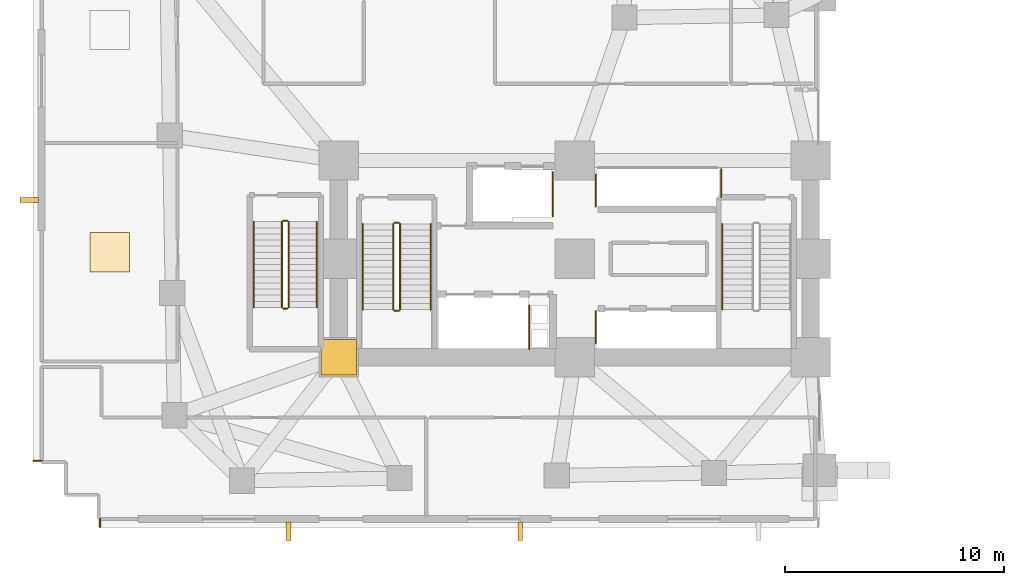
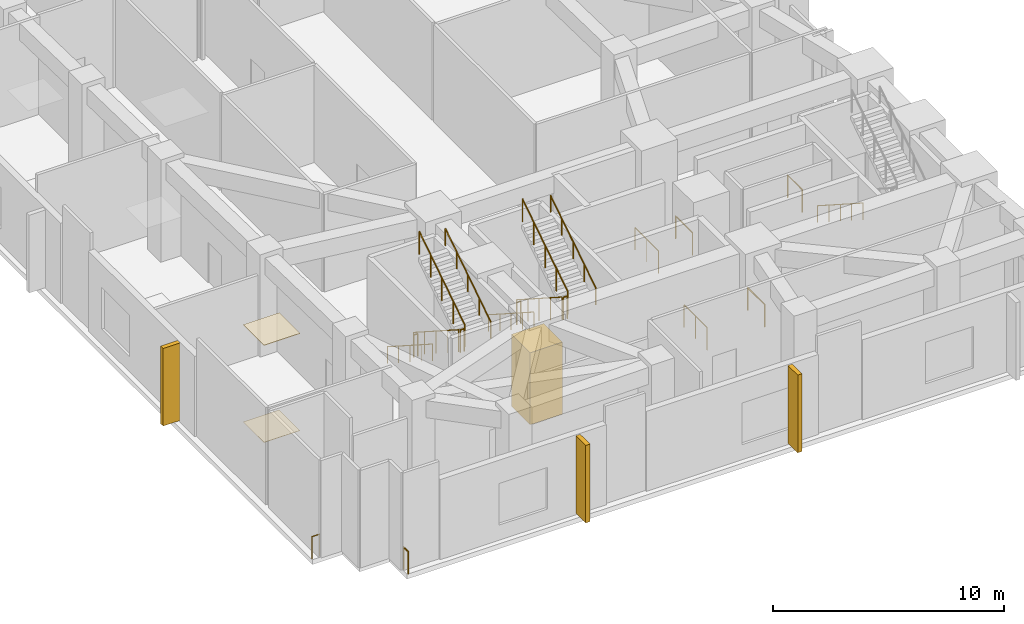
# One storey, part 13 of 18: 20 railings, 3 coverings, 3 shading devices.
"""IFC4 building model written with IfcOpenShell, lengths in metres."""

from ifc_helpers import new_model, si_unit, direction, frame, origin, origin_2d, place, context, subcontext, project, spatial, rectangle, circle, extrude, material, layer, layer_set, type_object, element, save


model = new_model("IFC4")

# Units and contexts
model_context = context("Model", 3, precision=1e-05, world=origin(), true_north=direction((0.0, 1.0)))
body_context = subcontext(model_context, "Body", "Model", "MODEL_VIEW")
ifc_project = project(units=[si_unit("LENGTHUNIT", "METRE"), si_unit("AREAUNIT", "SQUARE_METRE"), si_unit("VOLUMEUNIT", "CUBIC_METRE"), si_unit("PLANEANGLEUNIT", "RADIAN"), si_unit("MASSUNIT", "GRAM", prefix="KILO")], contexts=[model_context])

# Site, building, storey
site_placement = place(None, origin())
site = spatial("IfcSite", under=ifc_project, at=site_placement, CompositionType="ELEMENT")
building_placement = place(site_placement, origin())
building = spatial("IfcBuilding", under=site, at=building_placement, Name="Gaonmaruhae Medical Tower", CompositionType="ELEMENT")
storey_placement = place(building_placement, frame((0.0, 0.0, 5.39990234375)))
storey = spatial("IfcBuildingStorey", under=building, at=storey_placement, Name="L01", CompositionType="ELEMENT", Elevation=5.39990234375)

# Coverings
ifc_material_1 = material(Name="Architectural precast column cladding", Category="concrete")
ifc_layer_1 = layer(ifc_material_1, 0.06005859375)
ifc_layer_set_1 = layer_set([ifc_layer_1], Name="Architectural precast column cladding")
covering_type_1 = type_object("IfcCoveringType", Name="CLD-01 Architectural Precast Pier Cladding", PredefinedType="CLADDING", material=ifc_layer_set_1)
covering_1_placement = place(storey_placement, frame((14.0, 7.800048828125, 0.10009765625), z_axis=(0.0, 0.0, 1.0), x_axis=(1.0, 0.0, 0.0)))
element("IfcCovering", 1, at=covering_1_placement, inside=storey, type_object=covering_type_1, Name="L01 Architectural Precast Column Cladding 5", PredefinedType="CLADDING", context=body_context, shape_type="SweptSolid", body=[
    extrude(rectangle(XDim=1.6201171875, YDim=1.6201171875, at=origin_2d()), origin(), (0.0, 0.0, 1.0), 3.800048828125),
])
ifc_material_2 = material(Name="Acoustic mineral ceiling tile", Category="finish")
ifc_layer_2 = layer(ifc_material_2, 0.02490234375)
ifc_layer_set_2 = layer_set([ifc_layer_2], Name="Acoustic mineral ceiling tile")
covering_type_2 = type_object("IfcCoveringType", Name="CLG-01 Antimicrobial Acoustic Mineral Ceiling", PredefinedType="CEILING", material=ifc_layer_set_2)
covering_2_placement = place(storey_placement, frame((3.510009765625, 12.60009765625, 5.125244140625), z_axis=(0.0, 0.0, 1.0), x_axis=(1.0, 0.0, 0.0)))
element("IfcCovering", 2, at=covering_2_placement, inside=storey, type_object=covering_type_2, Name="L01 Clinical Room Acoustic Ceiling 2", PredefinedType="CEILING", context=body_context, shape_type="SweptSolid", body=[
    extrude(rectangle(XDim=1.800048828125, YDim=1.800048828125, at=origin_2d()), origin(), (0.0, 0.0, 1.0), 0.02490234375),
])
ifc_material_3 = material(Name="Seamless clinical vinyl flooring", Category="finish")
ifc_layer_3 = layer(ifc_material_3, 0.014892578125)
ifc_layer_set_3 = layer_set([ifc_layer_3], Name="Seamless clinical vinyl flooring")
covering_type_3 = type_object("IfcCoveringType", Name="FLR-01 Seamless Clinical Antistatic Vinyl Flooring", PredefinedType="FLOORING", material=ifc_layer_set_3)
covering_3_placement = place(storey_placement, frame((3.510009765625, 12.60009765625, 0.0), z_axis=(0.0, 0.0, 1.0), x_axis=(1.0, 0.0, 0.0)))
element("IfcCovering", 3, at=covering_3_placement, inside=storey, type_object=covering_type_3, Name="L01 Clinical Room Vinyl Flooring 2", PredefinedType="FLOORING", context=body_context, shape_type="SweptSolid", body=[
    extrude(rectangle(XDim=1.800048828125, YDim=1.800048828125, at=origin_2d()), origin(), (0.0, 0.0, 1.0), 0.014892578125),
])

# Railings
ifc_material_4 = material(Name="Stainless steel 316L and laminated safety glass", Category="steel")
ifc_layer_4 = layer(ifc_material_4, 0.080078125)
ifc_layer_set_4 = layer_set([ifc_layer_4], Name="Stainless steel 316L and laminated safety glass")
railing_type_1 = type_object("IfcRailingType", Name="GD-120 Outdoor Terrace Safety Glass & Steel Balustrade", PredefinedType="BALUSTRADE", material=ifc_layer_set_4)
railing_1_placement = place(storey_placement, frame((3.070068359375, 0.02001953125, 0.0)))
element("IfcRailing", 4, at=railing_1_placement, inside=storey, type_object=railing_type_1, Name="L01 Perimeter Slab Edge Safety Balustrade 01", PredefinedType="BALUSTRADE", context=body_context, shape_type="SweptSolid", body=[
    extrude(circle(Radius=0.02392578125, at=origin_2d()), frame((0.0, 0.0, 1.17578125), z_axis=(0.0, 1.0, 0.0), x_axis=(-1.0, 0.0, 0.0)), (0.0, 0.0, 1.0), 0.393310546875),
    extrude(circle(Radius=0.02099609375, at=origin_2d()), origin(), (0.0, 0.0, 1.0), 1.15185546875),
    extrude(circle(Radius=0.02099609375, at=origin_2d()), frame((0.0, 0.393310546875, 0.0)), (0.0, 0.0, 1.0), 1.15185546875),
])
railing_2_placement = place(storey_placement, frame((0.413330078125, 3.070068359375, 0.0)))
element("IfcRailing", 5, at=railing_2_placement, inside=storey, type_object=railing_type_1, Name="L01 Perimeter Slab Edge Safety Balustrade 02", PredefinedType="BALUSTRADE", context=body_context, shape_type="SweptSolid", body=[
    extrude(circle(Radius=0.02392578125, at=origin_2d()), frame((0.0, 0.0, 1.17578125), z_axis=(-1.0, 0.0, 0.0), x_axis=(0.0, -1.0, 0.0)), (0.0, 0.0, 1.0), 0.393310546875),
    extrude(circle(Radius=0.02099609375, at=origin_2d()), origin(), (0.0, 0.0, 1.0), 1.15185546875),
    extrude(circle(Radius=0.02099609375, at=origin_2d()), frame((-0.393310546875, 0.0, 0.0)), (0.0, 0.0, 1.0), 1.15185546875),
])
ifc_material_5 = material(Name="Stainless steel 304 handrail", Category="steel")
railing_type_2 = type_object("IfcRailingType", Name="HR-092 Continuous Stainless Steel Stair Handrail", PredefinedType="HANDRAIL", material=ifc_material_5)
railing_3_placement = place(storey_placement, frame((15.10009765625, 13.89990234375, 0.18017578125)))
element("IfcRailing", 6, at=railing_3_placement, inside=storey, type_object=railing_type_2, Name="L01 ST-01 stair handrail 1", PredefinedType="HANDRAIL", context=body_context, shape_type="SweptSolid", body=[
    extrude(circle(Radius=0.02392578125, at=origin_2d()), frame((0.0, 0.0, 0.8759765625), z_axis=(0.0, -0.841171666519, 0.540768182723), x_axis=(1.0, 0.0, 0.0)), (0.0, 0.0, 1.0), 4.66015625),
    extrude(circle(Radius=0.02099609375, at=origin_2d()), origin(), (0.0, 0.0, 1.0), 0.851806640625),
    extrude(circle(Radius=0.02099609375, at=origin_2d()), frame((0.0, -0.97998046875, 0.6298828125)), (0.0, 0.0, 1.0), 0.851806640625),
    extrude(circle(Radius=0.02099609375, at=origin_2d()), frame((0.0, -1.9599609375, 1.260009765625)), (0.0, 0.0, 1.0), 0.851806640625),
    extrude(circle(Radius=0.02099609375, at=origin_2d()), frame((0.0, -2.93994140625, 1.89013671875)), (0.0, 0.0, 1.0), 0.851806640625),
    extrude(circle(Radius=0.02099609375, at=origin_2d()), frame((0.0, -3.919921875, 2.52001953125)), (0.0, 0.0, 1.0), 0.851806640625),
])
railing_4_placement = place(storey_placement, frame((18.199951171875, 9.97998046875, 2.880126953125)))
element("IfcRailing", 7, at=railing_4_placement, inside=storey, type_object=railing_type_2, Name="L01 ST-01 stair handrail 2", PredefinedType="HANDRAIL", context=body_context, shape_type="SweptSolid", body=[
    extrude(circle(Radius=0.02392578125, at=origin_2d()), frame((0.0, 0.0, 0.8759765625), z_axis=(0.0, 0.841171666519, 0.540768182723), x_axis=(-1.0, 0.0, 0.0)), (0.0, 0.0, 1.0), 4.66015625),
    extrude(circle(Radius=0.02099609375, at=origin_2d()), origin(), (0.0, 0.0, 1.0), 0.851806640625),
    extrude(circle(Radius=0.02099609375, at=origin_2d()), frame((0.0, 0.97998046875, 0.6298828125)), (0.0, 0.0, 1.0), 0.851806640625),
    extrude(circle(Radius=0.02099609375, at=origin_2d()), frame((0.0, 1.9599609375, 1.260009765625)), (0.0, 0.0, 1.0), 0.851806640625),
    extrude(circle(Radius=0.02099609375, at=origin_2d()), frame((0.0, 2.93994140625, 1.89013671875)), (0.0, 0.0, 1.0), 0.851806640625),
    extrude(circle(Radius=0.02099609375, at=origin_2d()), frame((0.0, 3.919921875, 2.52001953125)), (0.0, 0.0, 1.0), 0.851806640625),
])
for number, where, name in (
    (8, (31.550048828125, 13.89990234375, 0.18017578125), "L01 ST-02 stair handrail 1"),
    (9, (10.10009765625, 14.0, 0.18017578125), "L01 ST-03 stair handrail 1"),
):
    element("IfcRailing", number, at=place(storey_placement, frame(where)), inside=storey, type_object=railing_type_2, Name=name, PredefinedType="HANDRAIL", context=body_context, shape_type="SweptSolid", body=[
        extrude(circle(Radius=0.02392578125, at=origin_2d()), frame((0.0, 0.0, 0.8759765625), z_axis=(0.0, -0.841171666519, 0.540768182723), x_axis=(1.0, 0.0, 0.0)), (0.0, 0.0, 1.0), 4.66015625),
        extrude(circle(Radius=0.02099609375, at=origin_2d()), origin(), (0.0, 0.0, 1.0), 0.851806640625),
        extrude(circle(Radius=0.02099609375, at=origin_2d()), frame((0.0, -0.97998046875, 0.6298828125)), (0.0, 0.0, 1.0), 0.851806640625),
        extrude(circle(Radius=0.02099609375, at=origin_2d()), frame((0.0, -1.9599609375, 1.260009765625)), (0.0, 0.0, 1.0), 0.851806640625),
        extrude(circle(Radius=0.02099609375, at=origin_2d()), frame((0.0, -2.93994140625, 1.89013671875)), (0.0, 0.0, 1.0), 0.851806640625),
        extrude(circle(Radius=0.02099609375, at=origin_2d()), frame((0.0, -3.919921875, 2.52001953125)), (0.0, 0.0, 1.0), 0.851806640625),
    ])
railing_5_placement = place(storey_placement, frame((13.0, 10.080078125, 2.880126953125)))
element("IfcRailing", 10, at=railing_5_placement, inside=storey, type_object=railing_type_2, Name="L01 ST-03 stair handrail 2", PredefinedType="HANDRAIL", context=body_context, shape_type="SweptSolid", body=[
    extrude(circle(Radius=0.02392578125, at=origin_2d()), frame((0.0, 0.0, 0.8759765625), z_axis=(0.0, 0.841171666519, 0.540768182723), x_axis=(-1.0, 0.0, 0.0)), (0.0, 0.0, 1.0), 4.66015625),
    extrude(circle(Radius=0.02099609375, at=origin_2d()), origin(), (0.0, 0.0, 1.0), 0.851806640625),
    extrude(circle(Radius=0.02099609375, at=origin_2d()), frame((0.0, 0.97998046875, 0.6298828125)), (0.0, 0.0, 1.0), 0.851806640625),
    extrude(circle(Radius=0.02099609375, at=origin_2d()), frame((0.0, 1.9599609375, 1.260009765625)), (0.0, 0.0, 1.0), 0.851806640625),
    extrude(circle(Radius=0.02099609375, at=origin_2d()), frame((0.0, 2.93994140625, 1.89013671875)), (0.0, 0.0, 1.0), 0.851806640625),
    extrude(circle(Radius=0.02099609375, at=origin_2d()), frame((0.0, 3.919921875, 2.52001953125)), (0.0, 0.0, 1.0), 0.851806640625),
])

# Shading devices
ifc_material_6 = material(Name="Pigmented coral precast concrete C45/55", Category="concrete")
shading_device_type = type_object("IfcShadingDeviceType", Name="SD-FIN2 Podium Vertical Coral Precast Shading Fin", PredefinedType="USERDEFINED", material=ifc_material_6)
for number, where, z_axis, x_axis, name in (
    (11, (11.699951171875, -0.1650390625, 0.06494140625), (0.0, 0.0, 1.0), (-1.0, 0.0, 0.0), "L01 Podium Coral Precast Shading Fin PB-S1"),
    (12, (22.300048828125, -0.1650390625, 0.06494140625), (0.0, 0.0, 1.0), (-1.0, 0.0, 0.0), "L01 Podium Coral Precast Shading Fin PB-S2"),
    (13, (-0.1650390625, 15.0, 0.06494140625), (0.0, 0.0, 1.0), (0.0, 1.0, 0.0), "L01 Podium Coral Precast Shading Fin PB-W1"),
):
    element("IfcShadingDevice", number, at=place(storey_placement, frame(where, z_axis=z_axis, x_axis=x_axis)), inside=storey, type_object=shading_device_type, Name=name, ObjectType="FIN", PredefinedType="USERDEFINED", context=body_context, shape_type="SweptSolid", body=[
        extrude(rectangle(XDim=0.219970703125, YDim=0.85009765625, at=origin_2d()), origin(), (0.0, 0.0, 1.0), 4.10009765625),
    ])

# Railings
ifc_material_7 = material(Name="Stainless steel 304 balustrade", Category="steel")
railing_type_3 = type_object("IfcRailingType", Name="SG-112 Stair Well & Ramp Void Safety Balustrade", PredefinedType="BALUSTRADE", material=ifc_material_7)
railing_6_placement = place(storey_placement, frame((16.5, 13.89990234375, 0.18017578125)))
element("IfcRailing", 14, at=railing_6_placement, inside=storey, type_object=railing_type_3, Name="L01 ST-01 stair guard 1", PredefinedType="BALUSTRADE", context=body_context, shape_type="SweptSolid", body=[
    extrude(circle(Radius=0.02392578125, at=origin_2d()), frame((0.0, 0.0, 1.17578125), z_axis=(0.0, -0.841171666519, 0.540768182723), x_axis=(1.0, 0.0, 0.0)), (0.0, 0.0, 1.0), 4.66015625),
    extrude(circle(Radius=0.02099609375, at=origin_2d()), origin(), (0.0, 0.0, 1.0), 1.15185546875),
    extrude(circle(Radius=0.02099609375, at=origin_2d()), frame((0.0, -0.97998046875, 0.6298828125)), (0.0, 0.0, 1.0), 1.15185546875),
    extrude(circle(Radius=0.02099609375, at=origin_2d()), frame((0.0, -1.9599609375, 1.260009765625)), (0.0, 0.0, 1.0), 1.15185546875),
    extrude(circle(Radius=0.02099609375, at=origin_2d()), frame((0.0, -2.93994140625, 1.89013671875)), (0.0, 0.0, 1.0), 1.15185546875),
    extrude(circle(Radius=0.02099609375, at=origin_2d()), frame((0.0, -3.919921875, 2.52001953125)), (0.0, 0.0, 1.0), 1.15185546875),
])
railing_7_placement = place(storey_placement, frame((16.550048828125, 9.929931640625, 2.7001953125)))
element("IfcRailing", 15, at=railing_7_placement, inside=storey, type_object=railing_type_3, Name="L01 ST-01 stair guard 2", PredefinedType="BALUSTRADE", context=body_context, shape_type="SweptSolid", body=[
    extrude(circle(Radius=0.02392578125, at=origin_2d()), frame((0.0, 0.0, 1.17578125), z_axis=(1.0, 0.0, 0.0), x_axis=(0.0, 1.0, 0.0)), (0.0, 0.0, 1.0), 0.199951171875),
    extrude(circle(Radius=0.02099609375, at=origin_2d()), origin(), (0.0, 0.0, 1.0), 1.15185546875),
    extrude(circle(Radius=0.02099609375, at=origin_2d()), frame((0.199951171875, 0.0, 0.0)), (0.0, 0.0, 1.0), 1.15185546875),
])
railing_8_placement = place(storey_placement, frame((16.800048828125, 9.97998046875, 2.880126953125)))
element("IfcRailing", 16, at=railing_8_placement, inside=storey, type_object=railing_type_3, Name="L01 ST-01 stair guard 3", PredefinedType="BALUSTRADE", context=body_context, shape_type="SweptSolid", body=[
    extrude(circle(Radius=0.02392578125, at=origin_2d()), frame((0.0, 0.0, 1.17578125), z_axis=(0.0, 0.841171666519, 0.540768182723), x_axis=(-1.0, 0.0, 0.0)), (0.0, 0.0, 1.0), 4.66015625),
    extrude(circle(Radius=0.02099609375, at=origin_2d()), origin(), (0.0, 0.0, 1.0), 1.15185546875),
    extrude(circle(Radius=0.02099609375, at=origin_2d()), frame((0.0, 0.97998046875, 0.6298828125)), (0.0, 0.0, 1.0), 1.15185546875),
    extrude(circle(Radius=0.02099609375, at=origin_2d()), frame((0.0, 1.9599609375, 1.260009765625)), (0.0, 0.0, 1.0), 1.15185546875),
    extrude(circle(Radius=0.02099609375, at=origin_2d()), frame((0.0, 2.93994140625, 1.89013671875)), (0.0, 0.0, 1.0), 1.15185546875),
    extrude(circle(Radius=0.02099609375, at=origin_2d()), frame((0.0, 3.919921875, 2.52001953125)), (0.0, 0.0, 1.0), 1.15185546875),
])
railing_9_placement = place(storey_placement, frame((16.550048828125, 13.949951171875, 0.0)))
element("IfcRailing", 17, at=railing_9_placement, inside=storey, type_object=railing_type_3, Name="L01 ST-01 stair guard 4", PredefinedType="BALUSTRADE", context=body_context, shape_type="SweptSolid", body=[
    extrude(circle(Radius=0.02392578125, at=origin_2d()), frame((0.0, 0.0, 1.17578125), z_axis=(1.0, 0.0, 0.0), x_axis=(0.0, 1.0, 0.0)), (0.0, 0.0, 1.0), 0.199951171875),
    extrude(circle(Radius=0.02099609375, at=origin_2d()), origin(), (0.0, 0.0, 1.0), 1.15185546875),
    extrude(circle(Radius=0.02099609375, at=origin_2d()), frame((0.199951171875, 0.0, 0.0)), (0.0, 0.0, 1.0), 1.15185546875),
])
railing_10_placement = place(storey_placement, frame((11.39990234375, 14.0, 0.18017578125)))
element("IfcRailing", 18, at=railing_10_placement, inside=storey, type_object=railing_type_3, Name="L01 ST-03 stair guard 1", PredefinedType="BALUSTRADE", context=body_context, shape_type="SweptSolid", body=[
    extrude(circle(Radius=0.02392578125, at=origin_2d()), frame((0.0, 0.0, 1.17578125), z_axis=(0.0, -0.841171666519, 0.540768182723), x_axis=(1.0, 0.0, 0.0)), (0.0, 0.0, 1.0), 4.66015625),
    extrude(circle(Radius=0.02099609375, at=origin_2d()), origin(), (0.0, 0.0, 1.0), 1.15185546875),
    extrude(circle(Radius=0.02099609375, at=origin_2d()), frame((0.0, -0.97998046875, 0.6298828125)), (0.0, 0.0, 1.0), 1.15185546875),
    extrude(circle(Radius=0.02099609375, at=origin_2d()), frame((0.0, -1.9599609375, 1.260009765625)), (0.0, 0.0, 1.0), 1.15185546875),
    extrude(circle(Radius=0.02099609375, at=origin_2d()), frame((0.0, -2.93994140625, 1.89013671875)), (0.0, 0.0, 1.0), 1.15185546875),
    extrude(circle(Radius=0.02099609375, at=origin_2d()), frame((0.0, -3.919921875, 2.52001953125)), (0.0, 0.0, 1.0), 1.15185546875),
])
railing_11_placement = place(storey_placement, frame((11.449951171875, 10.030029296875, 2.7001953125)))
element("IfcRailing", 19, at=railing_11_placement, inside=storey, type_object=railing_type_3, Name="L01 ST-03 stair guard 2", PredefinedType="BALUSTRADE", context=body_context, shape_type="SweptSolid", body=[
    extrude(circle(Radius=0.02392578125, at=origin_2d()), frame((0.0, 0.0, 1.17578125), z_axis=(1.0, 0.0, 0.0), x_axis=(0.0, 1.0, 0.0)), (0.0, 0.0, 1.0), 0.199951171875),
    extrude(circle(Radius=0.02099609375, at=origin_2d()), origin(), (0.0, 0.0, 1.0), 1.15185546875),
    extrude(circle(Radius=0.02099609375, at=origin_2d()), frame((0.199951171875, 0.0, 0.0)), (0.0, 0.0, 1.0), 1.15185546875),
])
railing_12_placement = place(storey_placement, frame((11.699951171875, 10.080078125, 2.880126953125)))
element("IfcRailing", 20, at=railing_12_placement, inside=storey, type_object=railing_type_3, Name="L01 ST-03 stair guard 3", PredefinedType="BALUSTRADE", context=body_context, shape_type="SweptSolid", body=[
    extrude(circle(Radius=0.02392578125, at=origin_2d()), frame((0.0, 0.0, 1.17578125), z_axis=(0.0, 0.841171666519, 0.540768182723), x_axis=(-1.0, 0.0, 0.0)), (0.0, 0.0, 1.0), 4.66015625),
    extrude(circle(Radius=0.02099609375, at=origin_2d()), origin(), (0.0, 0.0, 1.0), 1.15185546875),
    extrude(circle(Radius=0.02099609375, at=origin_2d()), frame((0.0, 0.97998046875, 0.6298828125)), (0.0, 0.0, 1.0), 1.15185546875),
    extrude(circle(Radius=0.02099609375, at=origin_2d()), frame((0.0, 1.9599609375, 1.260009765625)), (0.0, 0.0, 1.0), 1.15185546875),
    extrude(circle(Radius=0.02099609375, at=origin_2d()), frame((0.0, 2.93994140625, 1.89013671875)), (0.0, 0.0, 1.0), 1.15185546875),
    extrude(circle(Radius=0.02099609375, at=origin_2d()), frame((0.0, 3.919921875, 2.52001953125)), (0.0, 0.0, 1.0), 1.15185546875),
])
railing_13_placement = place(storey_placement, frame((11.449951171875, 14.050048828125, 0.0)))
element("IfcRailing", 21, at=railing_13_placement, inside=storey, type_object=railing_type_3, Name="L01 ST-03 stair guard 4", PredefinedType="BALUSTRADE", context=body_context, shape_type="SweptSolid", body=[
    extrude(circle(Radius=0.02392578125, at=origin_2d()), frame((0.0, 0.0, 1.17578125), z_axis=(1.0, 0.0, 0.0), x_axis=(0.0, 1.0, 0.0)), (0.0, 0.0, 1.0), 0.199951171875),
    extrude(circle(Radius=0.02099609375, at=origin_2d()), origin(), (0.0, 0.0, 1.0), 1.15185546875),
    extrude(circle(Radius=0.02099609375, at=origin_2d()), frame((0.199951171875, 0.0, 0.0)), (0.0, 0.0, 1.0), 1.15185546875),
])
railing_14_placement = place(storey_placement, frame((22.719970703125, 10.159912109375, 0.0)))
element("IfcRailing", 22, at=railing_14_placement, inside=storey, type_object=railing_type_3, Name="L01 Shaft Edge Safety Guard 16", PredefinedType="BALUSTRADE", context=body_context, shape_type="SweptSolid", body=[
    extrude(circle(Radius=0.02392578125, at=origin_2d()), frame((0.0, 0.0, 1.17578125), z_axis=(0.0, -1.0, 0.0), x_axis=(1.0, 0.0, 0.0)), (0.0, 0.0, 1.0), 1.994873046875),
    extrude(circle(Radius=0.02099609375, at=origin_2d()), origin(), (0.0, 0.0, 1.0), 1.15185546875),
    extrude(circle(Radius=0.02099609375, at=origin_2d()), frame((0.0, -0.99755859375, 0.0)), (0.0, 0.0, 1.0), 1.15185546875),
    extrude(circle(Radius=0.02099609375, at=origin_2d()), frame((0.0, -1.994873046875, 0.0)), (0.0, 0.0, 1.0), 1.15185546875),
])
railing_15_placement = place(storey_placement, frame((23.794921875, 16.27587890625, 0.0)))
element("IfcRailing", 23, at=railing_15_placement, inside=storey, type_object=railing_type_3, Name="L01 Shaft Edge Safety Guard 17", PredefinedType="BALUSTRADE", context=body_context, shape_type="SweptSolid", body=[
    extrude(circle(Radius=0.02392578125, at=origin_2d()), frame((0.0, 0.0, 1.17578125), z_axis=(0.0, -1.0, 0.0), x_axis=(1.0, 0.0, 0.0)), (0.0, 0.0, 1.0), 2.03076171875),
    extrude(circle(Radius=0.02099609375, at=origin_2d()), origin(), (0.0, 0.0, 1.0), 1.15185546875),
    extrude(circle(Radius=0.02099609375, at=origin_2d()), frame((0.0, -1.015380859375, 0.0)), (0.0, 0.0, 1.0), 1.15185546875),
    extrude(circle(Radius=0.02099609375, at=origin_2d()), frame((0.0, -2.03076171875, 0.0)), (0.0, 0.0, 1.0), 1.15185546875),
])
railing_16_placement = place(storey_placement, frame((25.7548828125, 8.445068359375, 0.0)))
element("IfcRailing", 24, at=railing_16_placement, inside=storey, type_object=railing_type_3, Name="L01 Shaft Edge Safety Guard 18", PredefinedType="BALUSTRADE", context=body_context, shape_type="SweptSolid", body=[
    extrude(circle(Radius=0.02392578125, at=origin_2d()), frame((0.0, 0.0, 1.17578125), z_axis=(0.0, 1.0, 0.0), x_axis=(-1.0, 0.0, 0.0)), (0.0, 0.0, 1.0), 1.4599609375),
    extrude(circle(Radius=0.02099609375, at=origin_2d()), origin(), (0.0, 0.0, 1.0), 1.15185546875),
    extrude(circle(Radius=0.02099609375, at=origin_2d()), frame((0.0, 1.4599609375, 0.0)), (0.0, 0.0, 1.0), 1.15185546875),
])
railing_17_placement = place(storey_placement, frame((31.4951171875, 16.405029296875, 0.0)))
element("IfcRailing", 25, at=railing_17_placement, inside=storey, type_object=railing_type_3, Name="L01 Shaft Edge Safety Guard 19", PredefinedType="BALUSTRADE", context=body_context, shape_type="SweptSolid", body=[
    extrude(circle(Radius=0.02392578125, at=origin_2d()), frame((0.0, 0.0, 1.17578125), z_axis=(0.0, -1.0, 0.0), x_axis=(1.0, 0.0, 0.0)), (0.0, 0.0, 1.0), 1.284912109375),
    extrude(circle(Radius=0.02099609375, at=origin_2d()), origin(), (0.0, 0.0, 1.0), 1.15185546875),
    extrude(circle(Radius=0.02099609375, at=origin_2d()), frame((0.0, -1.284912109375, 0.0)), (0.0, 0.0, 1.0), 1.15185546875),
])
railing_18_placement = place(storey_placement, frame((25.7548828125, 14.695068359375, 0.0)))
element("IfcRailing", 26, at=railing_18_placement, inside=storey, type_object=railing_type_3, Name="L01 Shaft Edge Safety Guard 20", PredefinedType="BALUSTRADE", context=body_context, shape_type="SweptSolid", body=[
    extrude(circle(Radius=0.02392578125, at=origin_2d()), frame((0.0, 0.0, 1.17578125), z_axis=(0.0, 1.0, 0.0), x_axis=(-1.0, 0.0, 0.0)), (0.0, 0.0, 1.0), 1.4599609375),
    extrude(circle(Radius=0.02099609375, at=origin_2d()), origin(), (0.0, 0.0, 1.0), 1.15185546875),
    extrude(circle(Radius=0.02099609375, at=origin_2d()), frame((0.0, 1.4599609375, 0.0)), (0.0, 0.0, 1.0), 1.15185546875),
])

save(model, "model.ifc")
